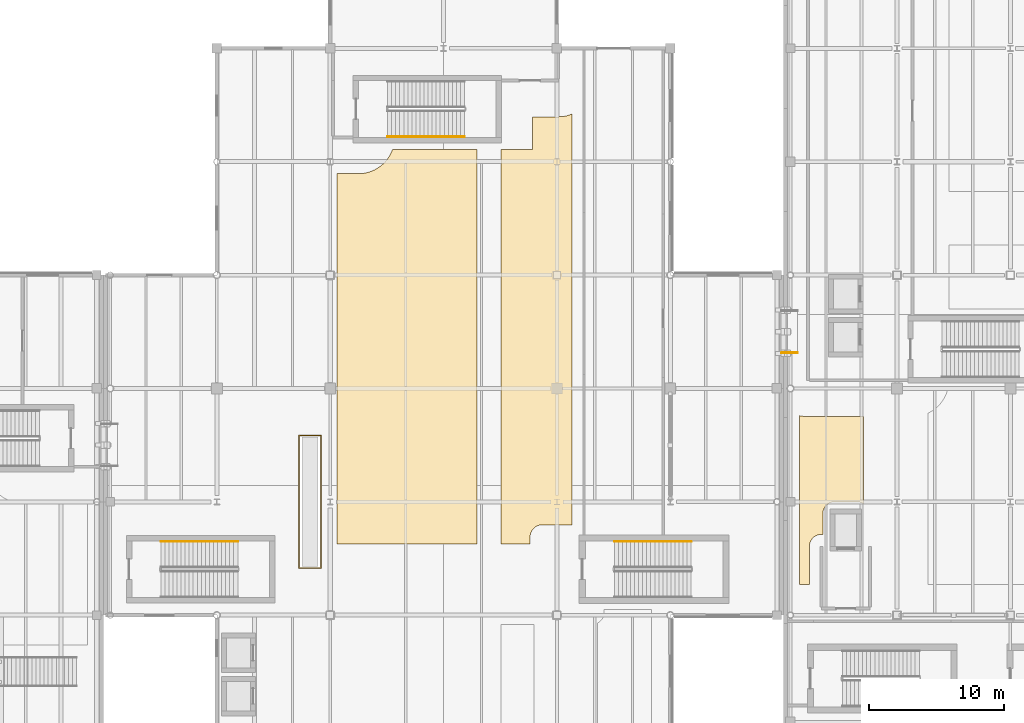
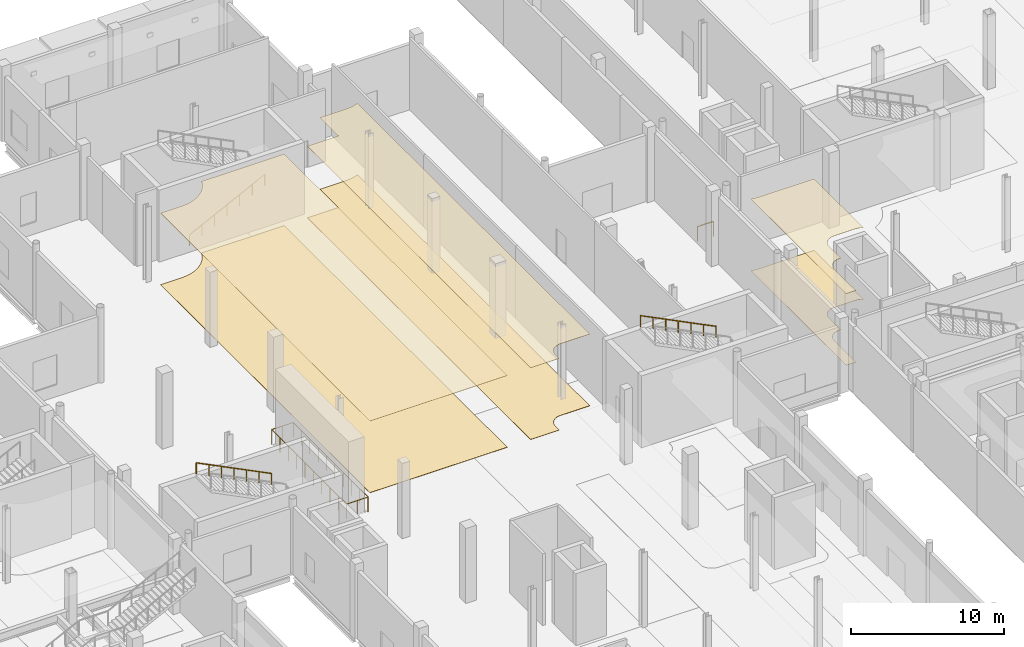
# One storey, part 77 of 85: 6 coverings, 5 railings.
"""IFC4 building model written with IfcOpenShell, lengths in metres."""

from ifc_helpers import new_model, si_unit, direction, frame, origin, origin_2d, place, context, subcontext, project, spatial, polyline, circle, outline, extrude, material, layer, layer_set, type_object, element, save


model = new_model("IFC4")

# Units and contexts
model_context = context("Model", 3, precision=1e-05, world=origin(), true_north=direction((0.0, 1.0)))
body_context = subcontext(model_context, "Body", "Model", "MODEL_VIEW")
ifc_project = project(units=[si_unit("LENGTHUNIT", "METRE"), si_unit("AREAUNIT", "SQUARE_METRE"), si_unit("VOLUMEUNIT", "CUBIC_METRE"), si_unit("PLANEANGLEUNIT", "RADIAN"), si_unit("MASSUNIT", "GRAM", prefix="KILO"), si_unit("THERMODYNAMICTEMPERATUREUNIT", "KELVIN")], contexts=[model_context])

# Site, building, storey
site_placement = place(None, origin())
site = spatial("IfcSite", under=ifc_project, at=site_placement, CompositionType="ELEMENT")
building_placement = place(site_placement, origin())
building = spatial("IfcBuilding", under=site, at=building_placement, Name="Lustrewick Department Store", CompositionType="ELEMENT")
storey_placement = place(building_placement, origin())
storey = spatial("IfcBuildingStorey", under=building, at=storey_placement, Name="L01", CompositionType="ELEMENT", Elevation=0.0)

# Coverings
ifc_material_1 = material(Name="Perforated mineral-fibre acoustic ceiling board", Category="gypsum")
ifc_layer_1 = layer(ifc_material_1, 0.02490234375, Name="Perforated mineral-fibre acoustic ceiling board")
ifc_layer_set_1 = layer_set([ifc_layer_1], Name="Perforated mineral-fibre acoustic ceiling board")
covering_type_1 = type_object("IfcCoveringType", Name="COV-CEIL", PredefinedType="CEILING", material=ifc_layer_set_1)
covering_1_placement = place(storey_placement, frame((0.0, 0.0, 5.719970703125)))
element("IfcCovering", 1, at=covering_1_placement, inside=storey, type_object=covering_type_1, Name="L01 V2 Merchandise Display Alcove 1 Acoustic Ceiling", PredefinedType="CEILING", context=body_context, shape_type="SweptSolid", body=[
    extrude(outline(polyline([(76.090087890625, 91.510009765625), (76.090087890625, 64.090087890625), (86.477783203125, 64.090087890625), (86.477783203125, 93.31005859375), (80.21630859375, 93.31005859375), (80.180419921875, 93.2099609375), (80.1572265625, 93.15185546875), (80.156005859375, 93.149169921875), (80.147705078125, 93.131103515625), (80.071533203125, 92.969970703125), (80.04638671875, 92.9208984375), (80.044921875, 92.91845703125), (80.03125, 92.89453125), (79.939697265625, 92.7421875), (79.931640625, 92.728759765625), (79.93017578125, 92.726318359375), (79.892578125, 92.671142578125), (79.78515625, 92.5263671875), (79.73291015625, 92.46240234375), (79.611572265625, 92.32861328125), (79.5830078125, 92.298828125), (79.5810546875, 92.296875), (79.551025390625, 92.268310546875), (79.360107421875, 92.09521484375), (79.357666015625, 92.09814453125), (79.353271484375, 92.094482421875), (79.208740234375, 91.9873046875), (79.15380859375, 91.949951171875), (79.1513671875, 91.948486328125), (79.137939453125, 91.940185546875), (78.985595703125, 91.848876953125), (78.961669921875, 91.835205078125), (78.958984375, 91.83349609375), (78.91015625, 91.80859375), (78.748779296875, 91.732177734375), (78.73095703125, 91.72412109375), (78.728271484375, 91.722900390625), (78.670166015625, 91.699462890625), (78.50146484375, 91.63916015625), (78.459716796875, 91.62548828125), (78.456787109375, 91.62451171875), (78.419677734375, 91.614501953125), (78.24658203125, 91.571044921875), (78.20703125, 91.562255859375), (78.2041015625, 91.5615234375), (78.16259765625, 91.554443359375), (77.986083984375, 91.5283203125), (77.9462890625, 91.523193359375), (77.943603515625, 91.52294921875), (77.9013671875, 91.519775390625), (77.722900390625, 91.510986328125), (77.681396484375, 91.510009765625), (76.090087890625, 91.510009765625)])), origin(), (0.0, 0.0, 1.0), 0.025146484375),
])
covering_2_placement = place(storey_placement, frame((0.0, 0.0, 5.719970703125)))
element("IfcCovering", 2, at=covering_2_placement, inside=storey, type_object=covering_type_1, Name="L01 Artisan Bakery Boutique Acoustic Ceiling", PredefinedType="CEILING", context=body_context, shape_type="SweptSolid", body=[
    extrude(outline(polyline([(90.580078125, 95.72998046875), (90.580078125, 93.320068359375), (88.23779296875, 93.320068359375), (88.23779296875, 64.090087890625), (90.409912109375, 64.090087890625), (90.409912109375, 64.60302734375), (90.414306640625, 64.687744140625), (90.4267578125, 64.771484375), (90.427490234375, 64.77490234375), (90.43115234375, 64.79248046875), (90.431884765625, 64.795654296875), (90.45458984375, 64.87841796875), (90.4853515625, 64.95849609375), (90.486572265625, 64.961181640625), (90.48779296875, 64.963623046875), (90.52099609375, 65.030517578125), (90.523193359375, 65.034423828125), (90.560791015625, 65.095947265625), (90.603515625, 65.154052734375), (90.607177734375, 65.15869140625), (90.670654296875, 65.2294921875), (90.741455078125, 65.29296875), (90.74609375, 65.29638671875), (90.80419921875, 65.339111328125), (90.865478515625, 65.376708984375), (90.869384765625, 65.37890625), (90.936279296875, 65.412109375), (90.94140625, 65.41455078125), (91.021484375, 65.445556640625), (91.104248046875, 65.46826171875), (91.107421875, 65.468994140625), (91.125, 65.47265625), (91.12841796875, 65.473388671875), (91.21240234375, 65.48583984375), (91.297119140625, 65.489990234375), (93.522705078125, 65.489990234375), (93.522705078125, 95.9326171875), (93.489990234375, 95.91943359375), (93.3212890625, 95.859130859375), (93.27978515625, 95.845458984375), (93.27685546875, 95.844482421875), (93.239501953125, 95.83447265625), (93.06640625, 95.791015625), (93.027099609375, 95.7822265625), (93.024169921875, 95.781494140625), (92.982666015625, 95.7744140625), (92.805908203125, 95.748291015625), (92.766357421875, 95.743408203125), (92.763427734375, 95.742919921875), (92.72119140625, 95.73974609375), (92.54296875, 95.73095703125), (92.50146484375, 95.72998046875), (90.580078125, 95.72998046875)])), origin(), (0.0, 0.0, 1.0), 0.025146484375),
])
covering_3_placement = place(storey_placement, frame((0.0, 0.0, 5.719970703125)))
element("IfcCovering", 3, at=covering_3_placement, inside=storey, type_object=covering_type_1, Name="L01 V4 Retail Merchandise Gallery 1 Acoustic Ceiling", PredefinedType="CEILING", context=body_context, shape_type="SweptSolid", body=[
    extrude(outline(polyline([(110.3701171875, 73.5869140625), (110.3701171875, 61.090087890625), (111.110107421875, 61.090087890625), (111.110107421875, 63.903076171875), (111.1142578125, 63.98779296875), (111.126708984375, 64.071533203125), (111.12744140625, 64.074951171875), (111.131103515625, 64.092529296875), (111.1318359375, 64.095703125), (111.154541015625, 64.178466796875), (111.185302734375, 64.258544921875), (111.1865234375, 64.26123046875), (111.187744140625, 64.263671875), (111.22119140625, 64.33056640625), (111.223388671875, 64.33447265625), (111.260986328125, 64.39599609375), (111.303466796875, 64.4541015625), (111.30712890625, 64.45849609375), (111.37060546875, 64.529296875), (111.44140625, 64.593017578125), (111.446044921875, 64.596435546875), (111.504150390625, 64.63916015625), (111.565673828125, 64.6767578125), (111.569580078125, 64.678955078125), (111.63623046875, 64.712158203125), (111.6416015625, 64.714599609375), (111.721435546875, 64.74560546875), (111.80419921875, 64.768310546875), (111.8076171875, 64.768798828125), (111.824951171875, 64.772705078125), (111.828369140625, 64.773193359375), (111.912353515625, 64.785888671875), (111.9970703125, 64.7900390625), (112.10009765625, 64.7900390625), (112.10009765625, 66.301025390625), (112.10107421875, 66.343017578125), (112.101318359375, 66.34814453125), (112.110595703125, 66.43701171875), (112.111572265625, 66.443115234375), (112.12890625, 66.52587890625), (112.130126953125, 66.53076171875), (112.1416015625, 66.56982421875), (112.142822265625, 66.574462890625), (112.169677734375, 66.6474609375), (112.202880859375, 66.7177734375), (112.205078125, 66.721923828125), (112.223388671875, 66.7548828125), (112.2255859375, 66.758544921875), (112.25732421875, 66.80859375), (112.260498046875, 66.812744140625), (112.307861328125, 66.87548828125), (112.361083984375, 66.93359375), (112.3662109375, 66.93896484375), (112.424560546875, 66.9921875), (112.4873046875, 67.03955078125), (112.491455078125, 67.04248046875), (112.54150390625, 67.074462890625), (112.545166015625, 67.07666015625), (112.578125, 67.094970703125), (112.582275390625, 67.09716796875), (112.652587890625, 67.13037109375), (112.7255859375, 67.156982421875), (112.72998046875, 67.158447265625), (112.769287109375, 67.169921875), (112.774169921875, 67.171142578125), (112.85693359375, 67.1884765625), (112.86279296875, 67.189453125), (112.951904296875, 67.19873046875), (112.95703125, 67.198974609375), (112.9990234375, 67.199951171875), (114.60107421875, 67.199951171875), (114.642822265625, 67.198974609375), (114.648193359375, 67.19873046875), (114.737060546875, 67.189453125), (114.7431640625, 67.1884765625), (114.825927734375, 67.171142578125), (114.830810546875, 67.169921875), (114.869873046875, 67.158447265625), (114.87451171875, 67.156982421875), (114.947509765625, 67.13037109375), (115.017822265625, 67.09716796875), (115.02197265625, 67.094970703125), (115.0546875, 67.07666015625), (115.05859375, 67.074462890625), (115.1083984375, 67.04248046875), (115.110107421875, 67.04150390625), (115.110107421875, 73.510009765625), (110.99853515625, 73.510009765625), (110.95703125, 73.510986328125), (110.77880859375, 73.519775390625), (110.736572265625, 73.52294921875), (110.733642578125, 73.523193359375), (110.694091796875, 73.5283203125), (110.517333984375, 73.554443359375), (110.475830078125, 73.5615234375), (110.472900390625, 73.562255859375), (110.43359375, 73.571044921875), (110.3701171875, 73.5869140625)])), origin(), (0.0, 0.0, 1.0), 0.025146484375),
])
ifc_material_2 = material(Name="Polished terrazzo and porcelain floor finish", Category="masonry")
ifc_layer_2 = layer(ifc_material_2, 0.02001953125, Name="Polished terrazzo and porcelain floor finish")
ifc_layer_set_2 = layer_set([ifc_layer_2], Name="Polished terrazzo and porcelain floor finish")
covering_type_2 = type_object("IfcCoveringType", Name="COV-FLR", PredefinedType="FLOORING", material=ifc_layer_set_2)
covering_4_placement = place(storey_placement, origin())
element("IfcCovering", 4, at=covering_4_placement, inside=storey, type_object=covering_type_2, Name="L01 V2 Merchandise Display Alcove 1 Terrazzo Flooring", PredefinedType="FLOORING", context=body_context, shape_type="SweptSolid", body=[
    extrude(outline(polyline([(76.090087890625, 91.510009765625), (76.090087890625, 64.090087890625), (86.477783203125, 64.090087890625), (86.477783203125, 93.31005859375), (80.21630859375, 93.31005859375), (80.180419921875, 93.2099609375), (80.1572265625, 93.15185546875), (80.156005859375, 93.149169921875), (80.147705078125, 93.131103515625), (80.071533203125, 92.969970703125), (80.04638671875, 92.9208984375), (80.044921875, 92.91845703125), (80.03125, 92.89453125), (79.939697265625, 92.7421875), (79.931640625, 92.728759765625), (79.93017578125, 92.726318359375), (79.892578125, 92.671142578125), (79.78515625, 92.5263671875), (79.73291015625, 92.46240234375), (79.611572265625, 92.32861328125), (79.5830078125, 92.298828125), (79.5810546875, 92.296875), (79.551025390625, 92.268310546875), (79.360107421875, 92.09521484375), (79.357666015625, 92.09814453125), (79.353271484375, 92.094482421875), (79.208740234375, 91.9873046875), (79.15380859375, 91.949951171875), (79.1513671875, 91.948486328125), (79.137939453125, 91.940185546875), (78.985595703125, 91.848876953125), (78.961669921875, 91.835205078125), (78.958984375, 91.83349609375), (78.91015625, 91.80859375), (78.748779296875, 91.732177734375), (78.73095703125, 91.72412109375), (78.728271484375, 91.722900390625), (78.670166015625, 91.699462890625), (78.50146484375, 91.63916015625), (78.459716796875, 91.62548828125), (78.456787109375, 91.62451171875), (78.419677734375, 91.614501953125), (78.24658203125, 91.571044921875), (78.20703125, 91.562255859375), (78.2041015625, 91.5615234375), (78.16259765625, 91.554443359375), (77.986083984375, 91.5283203125), (77.9462890625, 91.523193359375), (77.943603515625, 91.52294921875), (77.9013671875, 91.519775390625), (77.722900390625, 91.510986328125), (77.681396484375, 91.510009765625), (76.090087890625, 91.510009765625)])), origin(), (0.0, 0.0, 1.0), 0.02001953125),
])
covering_5_placement = place(storey_placement, origin())
element("IfcCovering", 5, at=covering_5_placement, inside=storey, type_object=covering_type_2, Name="L01 Artisan Bakery Boutique Terrazzo Flooring", PredefinedType="FLOORING", context=body_context, shape_type="SweptSolid", body=[
    extrude(outline(polyline([(90.580078125, 95.72998046875), (90.580078125, 93.320068359375), (88.23779296875, 93.320068359375), (88.23779296875, 64.090087890625), (90.409912109375, 64.090087890625), (90.409912109375, 64.60302734375), (90.414306640625, 64.687744140625), (90.4267578125, 64.771484375), (90.427490234375, 64.77490234375), (90.43115234375, 64.79248046875), (90.431884765625, 64.795654296875), (90.45458984375, 64.87841796875), (90.4853515625, 64.95849609375), (90.486572265625, 64.961181640625), (90.48779296875, 64.963623046875), (90.52099609375, 65.030517578125), (90.523193359375, 65.034423828125), (90.560791015625, 65.095947265625), (90.603515625, 65.154052734375), (90.607177734375, 65.15869140625), (90.670654296875, 65.2294921875), (90.741455078125, 65.29296875), (90.74609375, 65.29638671875), (90.80419921875, 65.339111328125), (90.865478515625, 65.376708984375), (90.869384765625, 65.37890625), (90.936279296875, 65.412109375), (90.94140625, 65.41455078125), (91.021484375, 65.445556640625), (91.104248046875, 65.46826171875), (91.107421875, 65.468994140625), (91.125, 65.47265625), (91.12841796875, 65.473388671875), (91.21240234375, 65.48583984375), (91.297119140625, 65.489990234375), (93.522705078125, 65.489990234375), (93.522705078125, 95.9326171875), (93.489990234375, 95.91943359375), (93.3212890625, 95.859130859375), (93.27978515625, 95.845458984375), (93.27685546875, 95.844482421875), (93.239501953125, 95.83447265625), (93.06640625, 95.791015625), (93.027099609375, 95.7822265625), (93.024169921875, 95.781494140625), (92.982666015625, 95.7744140625), (92.805908203125, 95.748291015625), (92.766357421875, 95.743408203125), (92.763427734375, 95.742919921875), (92.72119140625, 95.73974609375), (92.54296875, 95.73095703125), (92.50146484375, 95.72998046875), (90.580078125, 95.72998046875)])), origin(), (0.0, 0.0, 1.0), 0.02001953125),
])
covering_6_placement = place(storey_placement, origin())
element("IfcCovering", 6, at=covering_6_placement, inside=storey, type_object=covering_type_2, Name="L01 V4 Retail Merchandise Gallery 1 Terrazzo Flooring", PredefinedType="FLOORING", context=body_context, shape_type="SweptSolid", body=[
    extrude(outline(polyline([(110.3701171875, 73.5869140625), (110.3701171875, 61.090087890625), (111.110107421875, 61.090087890625), (111.110107421875, 63.903076171875), (111.1142578125, 63.98779296875), (111.126708984375, 64.071533203125), (111.12744140625, 64.074951171875), (111.131103515625, 64.092529296875), (111.1318359375, 64.095703125), (111.154541015625, 64.178466796875), (111.185302734375, 64.258544921875), (111.1865234375, 64.26123046875), (111.187744140625, 64.263671875), (111.22119140625, 64.33056640625), (111.223388671875, 64.33447265625), (111.260986328125, 64.39599609375), (111.303466796875, 64.4541015625), (111.30712890625, 64.45849609375), (111.37060546875, 64.529296875), (111.44140625, 64.593017578125), (111.446044921875, 64.596435546875), (111.504150390625, 64.63916015625), (111.565673828125, 64.6767578125), (111.569580078125, 64.678955078125), (111.63623046875, 64.712158203125), (111.6416015625, 64.714599609375), (111.721435546875, 64.74560546875), (111.80419921875, 64.768310546875), (111.8076171875, 64.768798828125), (111.824951171875, 64.772705078125), (111.828369140625, 64.773193359375), (111.912353515625, 64.785888671875), (111.9970703125, 64.7900390625), (112.10009765625, 64.7900390625), (112.10009765625, 66.301025390625), (112.10107421875, 66.343017578125), (112.101318359375, 66.34814453125), (112.110595703125, 66.43701171875), (112.111572265625, 66.443115234375), (112.12890625, 66.52587890625), (112.130126953125, 66.53076171875), (112.1416015625, 66.56982421875), (112.142822265625, 66.574462890625), (112.169677734375, 66.6474609375), (112.202880859375, 66.7177734375), (112.205078125, 66.721923828125), (112.223388671875, 66.7548828125), (112.2255859375, 66.758544921875), (112.25732421875, 66.80859375), (112.260498046875, 66.812744140625), (112.307861328125, 66.87548828125), (112.361083984375, 66.93359375), (112.3662109375, 66.93896484375), (112.424560546875, 66.9921875), (112.4873046875, 67.03955078125), (112.491455078125, 67.04248046875), (112.54150390625, 67.074462890625), (112.545166015625, 67.07666015625), (112.578125, 67.094970703125), (112.582275390625, 67.09716796875), (112.652587890625, 67.13037109375), (112.7255859375, 67.156982421875), (112.72998046875, 67.158447265625), (112.769287109375, 67.169921875), (112.774169921875, 67.171142578125), (112.85693359375, 67.1884765625), (112.86279296875, 67.189453125), (112.951904296875, 67.19873046875), (112.95703125, 67.198974609375), (112.9990234375, 67.199951171875), (114.60107421875, 67.199951171875), (114.642822265625, 67.198974609375), (114.648193359375, 67.19873046875), (114.737060546875, 67.189453125), (114.7431640625, 67.1884765625), (114.825927734375, 67.171142578125), (114.830810546875, 67.169921875), (114.869873046875, 67.158447265625), (114.87451171875, 67.156982421875), (114.947509765625, 67.13037109375), (115.017822265625, 67.09716796875), (115.02197265625, 67.094970703125), (115.0546875, 67.07666015625), (115.05859375, 67.074462890625), (115.1083984375, 67.04248046875), (115.110107421875, 67.04150390625), (115.110107421875, 73.510009765625), (110.99853515625, 73.510009765625), (110.95703125, 73.510986328125), (110.77880859375, 73.519775390625), (110.736572265625, 73.52294921875), (110.733642578125, 73.523193359375), (110.694091796875, 73.5283203125), (110.517333984375, 73.554443359375), (110.475830078125, 73.5615234375), (110.472900390625, 73.562255859375), (110.43359375, 73.571044921875), (110.3701171875, 73.5869140625)])), origin(), (0.0, 0.0, 1.0), 0.02001953125),
])

# Railings
ifc_material_3 = material(Name="Laminated safety glass and bronze atrium balustrade", Category="glass")
railing_type_1 = type_object("IfcRailingType", Name="RL-BAL", PredefinedType="BALUSTRADE", material=ifc_material_3)
railing_1_placement = place(storey_placement, frame((73.2900390625, 62.2900390625, 0.0)))
element("IfcRailing", 7, at=railing_1_placement, inside=storey, type_object=railing_type_1, Name="L01 V2 Escalator Well Balustrade 0006", PredefinedType="BALUSTRADE", context=body_context, shape_type="SweptSolid", body=[
    extrude(circle(Radius=0.02392578125, at=origin_2d()), frame((0.0, 0.0, 1.17578125), z_axis=(0.0, 1.0, 0.0), x_axis=(-1.0, 0.0, 0.0)), (0.0, 0.0, 1.0), 9.820068359375),
    extrude(circle(Radius=0.02392578125, at=origin_2d()), frame((0.0, 9.820068359375, 1.17578125), z_axis=(1.0, 0.0, 0.0), x_axis=(0.0, 1.0, 0.0)), (0.0, 0.0, 1.0), 1.619873046875),
    extrude(circle(Radius=0.02392578125, at=origin_2d()), frame((1.619873046875, 9.820068359375, 1.17578125), z_axis=(0.0, -1.0, 0.0), x_axis=(1.0, 0.0, 0.0)), (0.0, 0.0, 1.0), 9.820068359375),
    extrude(circle(Radius=0.02392578125, at=origin_2d()), frame((1.619873046875, 0.0, 1.17578125), z_axis=(-1.0, 0.0, 0.0), x_axis=(0.0, -1.0, 0.0)), (0.0, 0.0, 1.0), 1.619873046875),
    extrude(circle(Radius=0.02099609375, at=origin_2d()), origin(), (0.0, 0.0, 1.0), 1.15185546875),
    extrude(circle(Radius=0.02099609375, at=origin_2d()), frame((0.0, 1.091064453125, 0.0)), (0.0, 0.0, 1.0), 1.15185546875),
    extrude(circle(Radius=0.02099609375, at=origin_2d()), frame((0.0, 2.18212890625, 0.0)), (0.0, 0.0, 1.0), 1.15185546875),
    extrude(circle(Radius=0.02099609375, at=origin_2d()), frame((0.0, 3.2734375, 0.0)), (0.0, 0.0, 1.0), 1.15185546875),
    extrude(circle(Radius=0.02099609375, at=origin_2d()), frame((0.0, 4.364501953125, 0.0)), (0.0, 0.0, 1.0), 1.15185546875),
    extrude(circle(Radius=0.02099609375, at=origin_2d()), frame((0.0, 5.45556640625, 0.0)), (0.0, 0.0, 1.0), 1.15185546875),
    extrude(circle(Radius=0.02099609375, at=origin_2d()), frame((0.0, 6.546630859375, 0.0)), (0.0, 0.0, 1.0), 1.15185546875),
    extrude(circle(Radius=0.02099609375, at=origin_2d()), frame((0.0, 7.637939453125, 0.0)), (0.0, 0.0, 1.0), 1.15185546875),
    extrude(circle(Radius=0.02099609375, at=origin_2d()), frame((0.0, 8.72900390625, 0.0)), (0.0, 0.0, 1.0), 1.15185546875),
    extrude(circle(Radius=0.02099609375, at=origin_2d()), frame((0.0, 9.820068359375, 0.0)), (0.0, 0.0, 1.0), 1.15185546875),
    extrude(circle(Radius=0.02099609375, at=origin_2d()), frame((0.81005859375, 9.820068359375, 0.0)), (0.0, 0.0, 1.0), 1.15185546875),
    extrude(circle(Radius=0.02099609375, at=origin_2d()), frame((1.619873046875, 9.820068359375, 0.0)), (0.0, 0.0, 1.0), 1.15185546875),
    extrude(circle(Radius=0.02099609375, at=origin_2d()), frame((1.619873046875, 8.72900390625, 0.0)), (0.0, 0.0, 1.0), 1.15185546875),
    extrude(circle(Radius=0.02099609375, at=origin_2d()), frame((1.619873046875, 7.637939453125, 0.0)), (0.0, 0.0, 1.0), 1.15185546875),
    extrude(circle(Radius=0.02099609375, at=origin_2d()), frame((1.619873046875, 6.546630859375, 0.0)), (0.0, 0.0, 1.0), 1.15185546875),
    extrude(circle(Radius=0.02099609375, at=origin_2d()), frame((1.619873046875, 5.45556640625, 0.0)), (0.0, 0.0, 1.0), 1.15185546875),
    extrude(circle(Radius=0.02099609375, at=origin_2d()), frame((1.619873046875, 4.364501953125, 0.0)), (0.0, 0.0, 1.0), 1.15185546875),
    extrude(circle(Radius=0.02099609375, at=origin_2d()), frame((1.619873046875, 3.2734375, 0.0)), (0.0, 0.0, 1.0), 1.15185546875),
    extrude(circle(Radius=0.02099609375, at=origin_2d()), frame((1.619873046875, 2.18212890625, 0.0)), (0.0, 0.0, 1.0), 1.15185546875),
    extrude(circle(Radius=0.02099609375, at=origin_2d()), frame((1.619873046875, 1.091064453125, 0.0)), (0.0, 0.0, 1.0), 1.15185546875),
    extrude(circle(Radius=0.02099609375, at=origin_2d()), frame((1.619873046875, 0.0, 0.0)), (0.0, 0.0, 1.0), 1.15185546875),
    extrude(circle(Radius=0.02099609375, at=origin_2d()), frame((0.81005859375, 0.0, 0.0)), (0.0, 0.0, 1.0), 1.15185546875),
])
railing_2_placement = place(storey_placement, frame((109.0400390625, 78.239990234375, 0.0)))
element("IfcRailing", 8, at=railing_2_placement, inside=storey, type_object=railing_type_1, Name="L01 Skybridge SB24 South Guard 0009", PredefinedType="BALUSTRADE", context=body_context, shape_type="SweptSolid", body=[
    extrude(circle(Radius=0.02392578125, at=origin_2d()), frame((0.0, 0.0, 1.17578125), z_axis=(1.0, 0.0, 0.0), x_axis=(0.0, 1.0, 0.0)), (0.0, 0.0, 1.0), 1.18994140625),
    extrude(circle(Radius=0.02099609375, at=origin_2d()), origin(), (0.0, 0.0, 1.0), 1.15185546875),
    extrude(circle(Radius=0.02099609375, at=origin_2d()), frame((1.18994140625, 0.0, 0.0)), (0.0, 0.0, 1.0), 1.15185546875),
])
ifc_material_4 = material(Name="Brushed stainless steel wall handrail", Category="steel")
railing_type_2 = type_object("IfcRailingType", Name="RL-STH", PredefinedType="HANDRAIL", material=ifc_material_4)
railing_3_placement = place(storey_placement, frame((68.75, 64.25, 3.14990234375)))
element("IfcRailing", 9, at=railing_3_placement, inside=storey, type_object=railing_type_2, Name="L01 ST04 Stair Handrail 2", PredefinedType="HANDRAIL", context=body_context, shape_type="SweptSolid", body=[
    extrude(circle(Radius=0.02392578125, at=origin_2d()), frame((0.0, 0.0, 0.8759765625), z_axis=(-0.894419528903, 0.0, 0.447228919365), x_axis=(0.0, -1.0, 0.0)), (0.0, 0.0, 1.0), 6.372802734375),
    extrude(circle(Radius=0.02099609375, at=origin_2d()), origin(), (0.0, 0.0, 1.0), 0.851806640625),
    extrude(circle(Radius=0.02099609375, at=origin_2d()), frame((-0.949951171875, 0.0, 0.47509765625)), (0.0, 0.0, 1.0), 0.851806640625),
    extrude(circle(Radius=0.02099609375, at=origin_2d()), frame((-1.89990234375, 0.0, 0.949951171875)), (0.0, 0.0, 1.0), 0.851806640625),
    extrude(circle(Radius=0.02099609375, at=origin_2d()), frame((-2.85009765625, 0.0, 1.425048828125)), (0.0, 0.0, 1.0), 0.851806640625),
    extrude(circle(Radius=0.02099609375, at=origin_2d()), frame((-3.800048828125, 0.0, 1.900146484375)), (0.0, 0.0, 1.0), 0.851806640625),
    extrude(circle(Radius=0.02099609375, at=origin_2d()), frame((-4.75, 0.0, 2.375)), (0.0, 0.0, 1.0), 0.851806640625),
    extrude(circle(Radius=0.02099609375, at=origin_2d()), frame((-5.699951171875, 0.0, 2.85009765625)), (0.0, 0.0, 1.0), 0.851806640625),
])
railing_4_placement = place(storey_placement, frame((102.35009765625, 64.25, 3.14990234375)))
element("IfcRailing", 10, at=railing_4_placement, inside=storey, type_object=railing_type_2, Name="L01 ST05 Stair Handrail 2", PredefinedType="HANDRAIL", context=body_context, shape_type="SweptSolid", body=[
    extrude(circle(Radius=0.02392578125, at=origin_2d()), frame((0.0, 0.0, 0.8759765625), z_axis=(-0.894427191, 0.0, 0.4472135955), x_axis=(0.0, -1.0, 0.0)), (0.0, 0.0, 1.0), 6.373046875),
    extrude(circle(Radius=0.02099609375, at=origin_2d()), origin(), (0.0, 0.0, 1.0), 0.851806640625),
    extrude(circle(Radius=0.02099609375, at=origin_2d()), frame((-0.949951171875, 0.0, 0.47509765625)), (0.0, 0.0, 1.0), 0.851806640625),
    extrude(circle(Radius=0.02099609375, at=origin_2d()), frame((-1.900146484375, 0.0, 0.949951171875)), (0.0, 0.0, 1.0), 0.851806640625),
    extrude(circle(Radius=0.02099609375, at=origin_2d()), frame((-2.85009765625, 0.0, 1.425048828125)), (0.0, 0.0, 1.0), 0.851806640625),
    extrude(circle(Radius=0.02099609375, at=origin_2d()), frame((-3.800048828125, 0.0, 1.900146484375)), (0.0, 0.0, 1.0), 0.851806640625),
    extrude(circle(Radius=0.02099609375, at=origin_2d()), frame((-4.750244140625, 0.0, 2.375)), (0.0, 0.0, 1.0), 0.851806640625),
    extrude(circle(Radius=0.02099609375, at=origin_2d()), frame((-5.7001953125, 0.0, 2.85009765625)), (0.0, 0.0, 1.0), 0.851806640625),
])
railing_5_placement = place(storey_placement, frame((79.85009765625, 94.25, 0.14990234375)))
element("IfcRailing", 11, at=railing_5_placement, inside=storey, type_object=railing_type_2, Name="L01 ST06 Stair Handrail 1", PredefinedType="HANDRAIL", context=body_context, shape_type="SweptSolid", body=[
    extrude(circle(Radius=0.02392578125, at=origin_2d()), frame((0.0, 0.0, 0.8759765625), z_axis=(0.894419528903, 0.0, 0.447228919365), x_axis=(0.0, 1.0, 0.0)), (0.0, 0.0, 1.0), 6.372802734375),
    extrude(circle(Radius=0.02099609375, at=origin_2d()), origin(), (0.0, 0.0, 1.0), 0.851806640625),
    extrude(circle(Radius=0.02099609375, at=origin_2d()), frame((0.949951171875, 0.0, 0.47509765625)), (0.0, 0.0, 1.0), 0.851806640625),
    extrude(circle(Radius=0.02099609375, at=origin_2d()), frame((1.89990234375, 0.0, 0.949951171875)), (0.0, 0.0, 1.0), 0.851806640625),
    extrude(circle(Radius=0.02099609375, at=origin_2d()), frame((2.85009765625, 0.0, 1.425048828125)), (0.0, 0.0, 1.0), 0.851806640625),
    extrude(circle(Radius=0.02099609375, at=origin_2d()), frame((3.800048828125, 0.0, 1.900146484375)), (0.0, 0.0, 1.0), 0.851806640625),
    extrude(circle(Radius=0.02099609375, at=origin_2d()), frame((4.75, 0.0, 2.375)), (0.0, 0.0, 1.0), 0.851806640625),
    extrude(circle(Radius=0.02099609375, at=origin_2d()), frame((5.699951171875, 0.0, 2.85009765625)), (0.0, 0.0, 1.0), 0.851806640625),
])

save(model, "model.ifc")
